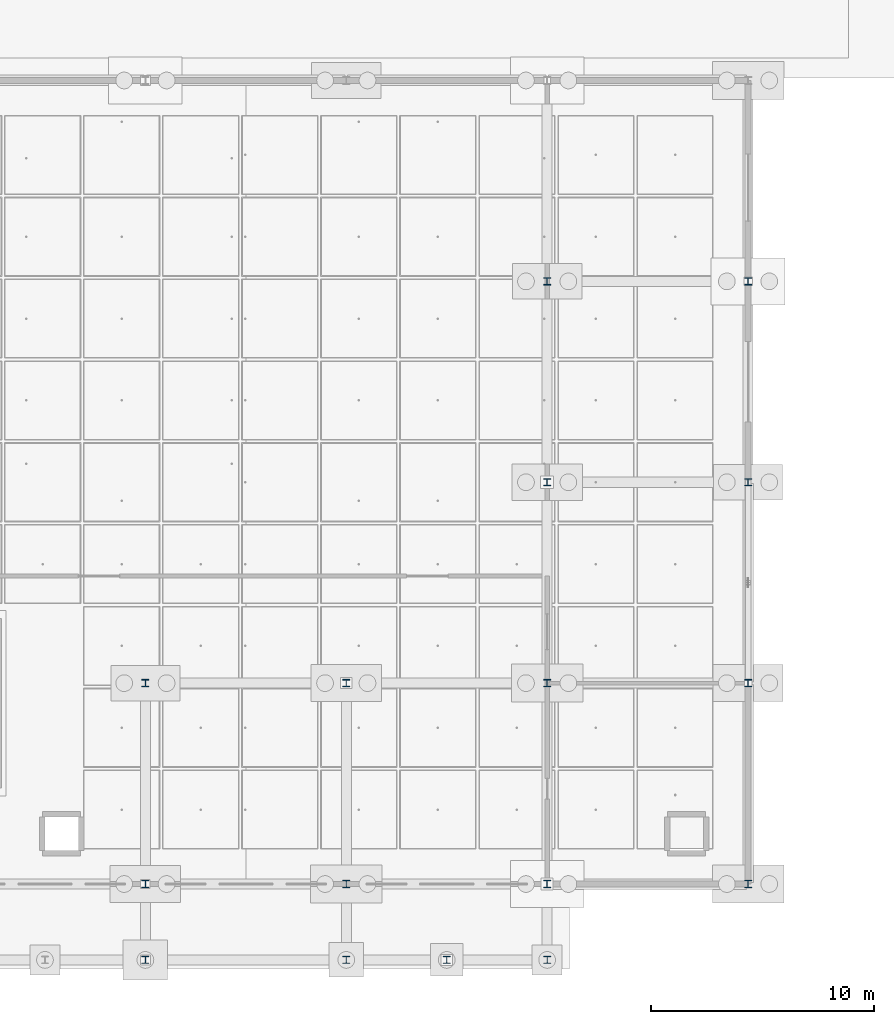
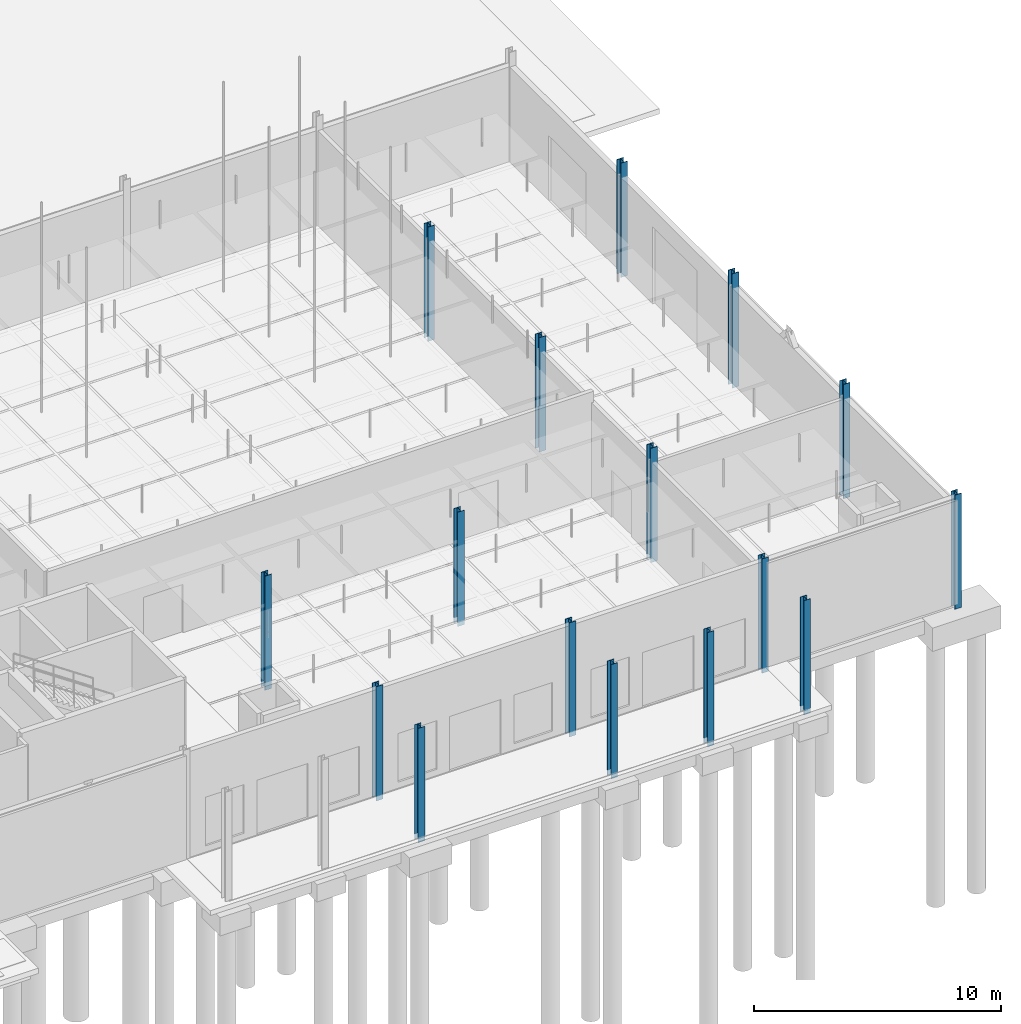
# One storey, part 24 of 180: 16 columns.
"""IFC4 building model written with IfcOpenShell, lengths in metres."""

from ifc_helpers import new_model, si_unit, direction, frame, origin, origin_2d, place, context, subcontext, project, spatial, i_section, extrude, material, material_profile, profile_set, type_object, element, save


model = new_model("IFC4")

# Units and contexts
model_context = context("Model", 3, precision=1e-05, world=origin(), true_north=direction((0.0, 1.0)))
body_context = subcontext(model_context, "Body", "Model", "MODEL_VIEW")
ifc_project = project(units=[si_unit("LENGTHUNIT", "METRE"), si_unit("AREAUNIT", "SQUARE_METRE"), si_unit("VOLUMEUNIT", "CUBIC_METRE"), si_unit("PLANEANGLEUNIT", "RADIAN"), si_unit("MASSUNIT", "GRAM", prefix="KILO"), si_unit("THERMODYNAMICTEMPERATUREUNIT", "KELVIN"), si_unit("POWERUNIT", "WATT")], contexts=[model_context])

# Site, building, storey
site_placement = place(None, origin())
site = spatial("IfcSite", under=ifc_project, at=site_placement, CompositionType="ELEMENT")
building_placement = place(site_placement, origin())
building = spatial("IfcBuilding", under=site, at=building_placement, Name="Tallowbark Science Centre", CompositionType="ELEMENT")
storey_placement = place(building_placement, origin())
storey = spatial("IfcBuildingStorey", under=building, at=storey_placement, Name="L00", CompositionType="ELEMENT", Elevation=0.0)

# Columns
ifc_material = material(Name="Structural Steel Grade 300PLUS (300 MPa)", Category="steel")
ifc_material_profile_1 = material_profile(ifc_material, i_section(OverallWidth=0.311279296875, OverallDepth=0.3271484375, WebThickness=0.015625, FlangeThickness=0.02490234375, FilletRadius=0.0166015625, at=origin_2d()), Name="310UC158")
ifc_profile_set_1 = profile_set([ifc_material_profile_1], Name="Structural Steel Grade 300PLUS (300 MPa)")
column_type_1 = type_object("IfcColumnType", Name="COL-UC310A", PredefinedType="COLUMN", material=ifc_profile_set_1)
for number, where, z_axis, x_axis, name in (
    (1, (130.5, 0.0, -0.239990234375), (0.0, 0.0, 1.0), (1.0, 0.0, 0.0), "Column THT-M2_0 L00"),
    (2, (130.5, 9.0, -0.239990234375), (0.0, 0.0, 1.0), (1.0, 0.0, 0.0), "Column THT-M2_1 L00"),
    (3, (139.5, 0.0, -0.239990234375), (0.0, 0.0, 1.0), (1.0, 0.0, 0.0), "Column THT-M3_0 L00"),
    (4, (139.5, 9.0, -0.239990234375), (0.0, 0.0, 1.0), (1.0, 0.0, 0.0), "Column THT-M3_1 L00"),
    (5, (148.5, 0.0, -0.239990234375), (0.0, 0.0, 1.0), (1.0, 0.0, 0.0), "Column THT-M4_0 L00"),
    (6, (148.5, 9.0, -0.239990234375), (0.0, 0.0, 1.0), (1.0, 0.0, 0.0), "Column THT-M4_1 L00"),
    (7, (148.5, 18.0, -0.239990234375), (0.0, 0.0, 1.0), (1.0, 0.0, 0.0), "Column THT-M4_2 L00"),
    (8, (148.5, 27.0, -0.239990234375), (0.0, 0.0, 1.0), (1.0, 0.0, 0.0), "Column THT-M4_3 L00"),
    (9, (157.5, 0.0, -0.239990234375), (0.0, 0.0, 1.0), (1.0, 0.0, 0.0), "Column THT-M5_0 L00"),
    (10, (157.5, 9.0, -0.239990234375), (0.0, 0.0, 1.0), (1.0, 0.0, 0.0), "Column THT-M5_1 L00"),
    (11, (157.5, 18.0, -0.239990234375), (0.0, 0.0, 1.0), (1.0, 0.0, 0.0), "Column THT-M5_2 L00"),
    (12, (157.5, 27.0, -0.239990234375), (0.0, 0.0, 1.0), (1.0, 0.0, 0.0), "Column THT-M5_3 L00"),
):
    element("IfcColumn", number, at=place(storey_placement, frame(where, z_axis=z_axis, x_axis=x_axis)), inside=storey, type_object=column_type_1, Name=name, PredefinedType="COLUMN", context=body_context, shape_type="SweptSolid", body=[
        extrude(i_section(OverallWidth=0.311279296875, OverallDepth=0.3271484375, WebThickness=0.015625, FlangeThickness=0.02490234375, FilletRadius=0.0166015625, at=origin_2d()), origin(), (0.0, 0.0, 1.0), 5.639892578125),
    ])
ifc_material_profile_2 = material_profile(ifc_material, i_section(OverallWidth=0.307373046875, OverallDepth=0.314697265625, WebThickness=0.011962890625, FlangeThickness=0.018798828125, FilletRadius=0.0166015625, at=origin_2d()), Name="310UC118")
ifc_profile_set_2 = profile_set([ifc_material_profile_2], Name="Structural Steel Grade 300PLUS (300 MPa)")
column_type_2 = type_object("IfcColumnType", Name="PIL-UC310", PredefinedType="PILASTER", material=ifc_profile_set_2)
for number, where, z_axis, x_axis, name in (
    (13, (130.5, -3.39990234375, -0.239990234375), (0.0, 0.0, 1.0), (1.0, 0.0, 0.0), "Column THT-POR-02 L00"),
    (14, (139.5, -3.39990234375, -0.239990234375), (0.0, 0.0, 1.0), (1.0, 0.0, 0.0), "Column THT-POR-03 L00"),
    (15, (144.0, -3.39990234375, -0.239990234375), (0.0, 0.0, 1.0), (1.0, 0.0, 0.0), "Column THT-POR-04 L00"),
    (16, (148.5, -3.39990234375, -0.239990234375), (0.0, 0.0, 1.0), (1.0, 0.0, 0.0), "Column THT-POR-05 L00"),
):
    element("IfcColumn", number, at=place(storey_placement, frame(where, z_axis=z_axis, x_axis=x_axis)), inside=storey, type_object=column_type_2, Name=name, PredefinedType="PILASTER", context=body_context, shape_type="SweptSolid", body=[
        extrude(i_section(OverallWidth=0.307373046875, OverallDepth=0.314697265625, WebThickness=0.011962890625, FlangeThickness=0.018798828125, FilletRadius=0.0166015625, at=origin_2d()), origin(), (0.0, 0.0, 1.0), 5.639892578125),
    ])

save(model, "model.ifc")
